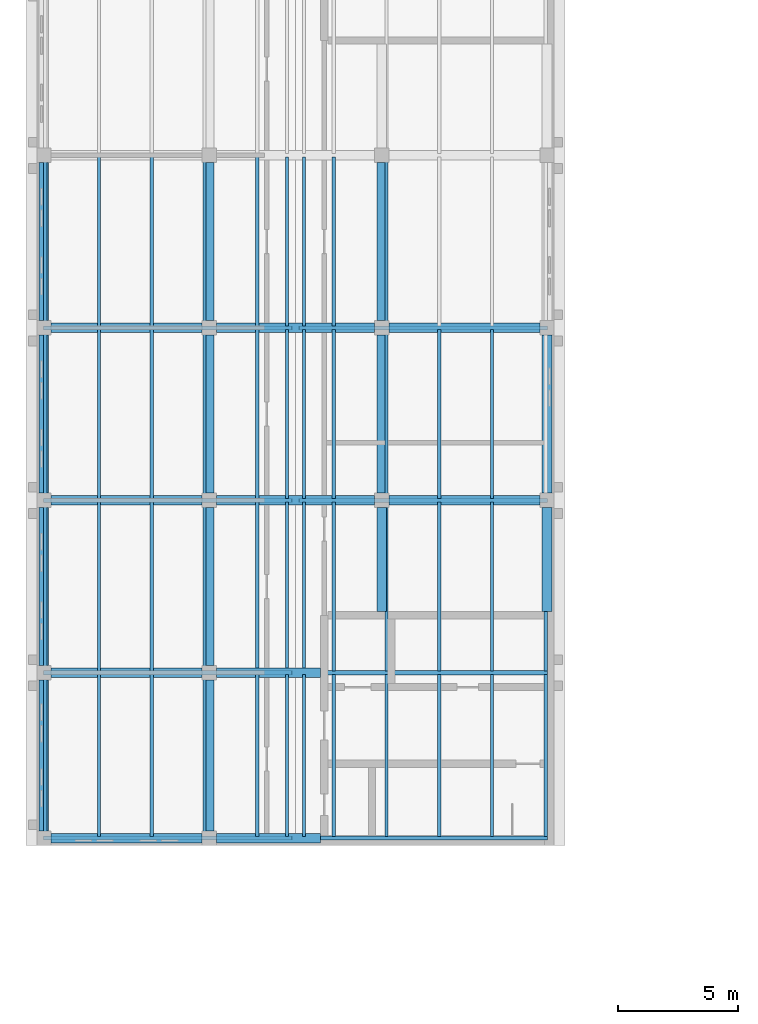
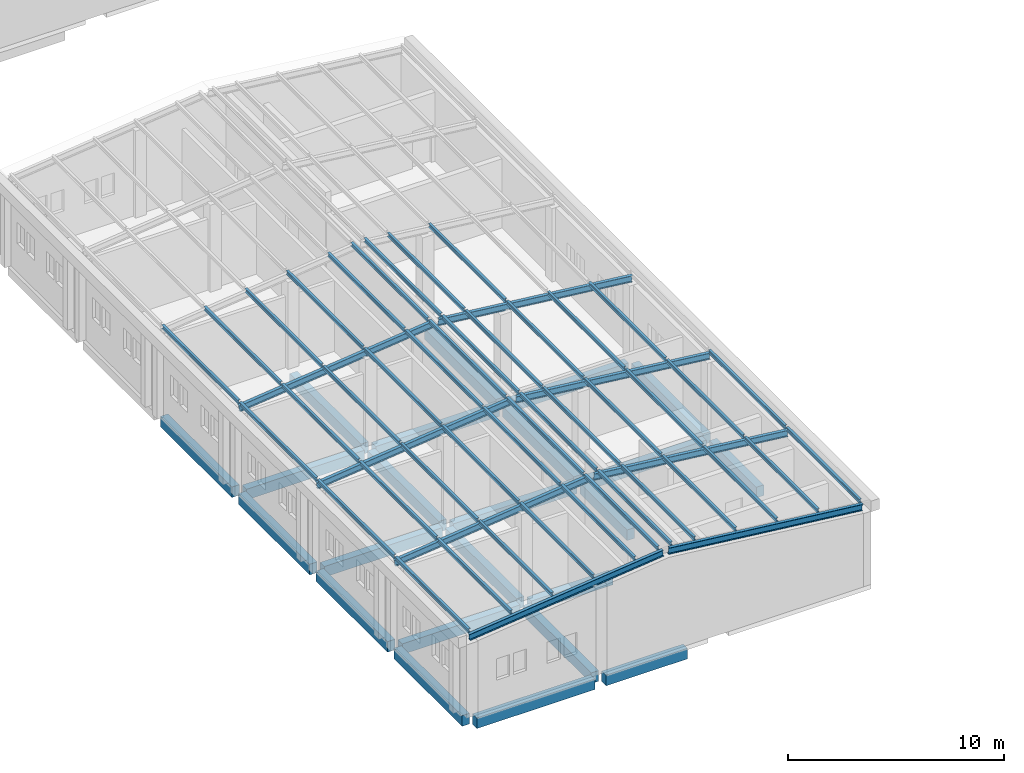
# One storey, part 4 of 48: 44 members, 31 beams.
"""IFC4 building model written with IfcOpenShell, lengths in metres."""

from ifc_helpers import new_model, si_unit, direction, frame, origin, origin_2d, place, context, subcontext, project, spatial, rectangle, i_section, extrude, material, material_profile, profile_set, type_object, element, save


model = new_model("IFC4")

# Units and contexts
model_context = context("Model", 3, precision=1e-05, world=origin(), true_north=direction((0.0, 1.0)))
body_context = subcontext(model_context, "Body", "Model", "MODEL_VIEW")
ifc_project = project(units=[si_unit("LENGTHUNIT", "METRE"), si_unit("AREAUNIT", "SQUARE_METRE"), si_unit("VOLUMEUNIT", "CUBIC_METRE"), si_unit("PLANEANGLEUNIT", "RADIAN"), si_unit("MASSUNIT", "GRAM", prefix="KILO")], contexts=[model_context])

# Site, building, storey
site_placement = place(None, origin())
site = spatial("IfcSite", under=ifc_project, at=site_placement, CompositionType="ELEMENT")
building_placement = place(site_placement, origin())
building = spatial("IfcBuilding", under=site, at=building_placement, Name="Alderwick Market Hall", CompositionType="ELEMENT")
storey_placement = place(building_placement, frame((0.0, 0.0, 14.39990234375)))
storey = spatial("IfcBuildingStorey", under=building, at=storey_placement, Name="L02", CompositionType="ELEMENT", Elevation=14.39990234375)

# Beams
ifc_material_1 = material(Name="Concrete 5000 psi (f'c 35 MPa)", Category="concrete")
ifc_material_profile_1 = material_profile(ifc_material_1, rectangle(XDim=0.39990234375, YDim=0.60009765625, at=origin_2d()), Name="B RC Beam 400x600")
ifc_profile_set_1 = profile_set([ifc_material_profile_1], Name="Concrete 5000 psi (f'c 35 MPa)")
beam_type_1 = type_object("IfcBeamType", Name="B RC Beam 400x600", PredefinedType="BEAM", material=ifc_profile_set_1)
beam_1_placement = place(storey_placement, frame((22.199951171875, 29.10009765625, -0.5498046875), z_axis=(1.0, 0.0, 0.0), x_axis=(0.0, 1.0, 0.0)))
element("IfcBeam", 1, at=beam_1_placement, inside=storey, type_object=beam_type_1, Name="B.S.beam.L02.u003-0006", PredefinedType="BEAM", context=body_context, shape_type="SweptSolid", body=[
    extrude(rectangle(XDim=0.39990234375, YDim=0.60009765625, at=origin_2d()), origin(), (0.0, 0.0, 1.0), 6.300048828125),
])
beam_2_placement = place(storey_placement, frame((29.10009765625, 29.10009765625, -0.5498046875), z_axis=(1.0, 0.0, 0.0), x_axis=(0.0, 1.0, 0.0)))
element("IfcBeam", 2, at=beam_2_placement, inside=storey, type_object=beam_type_1, Name="B.S.beam.L02.u003-0075", PredefinedType="BEAM", context=body_context, shape_type="SweptSolid", body=[
    extrude(rectangle(XDim=0.39990234375, YDim=0.60009765625, at=origin_2d()), origin(), (0.0, 0.0, 1.0), 4.349853515625),
])
beam_3_placement = place(storey_placement, frame((22.199951171875, 36.0, -0.5498046875), z_axis=(1.0, 0.0, 0.0), x_axis=(0.0, 1.0, 0.0)))
element("IfcBeam", 3, at=beam_3_placement, inside=storey, type_object=beam_type_1, Name="B.S.beam.L02.u072-0006", PredefinedType="BEAM", context=body_context, shape_type="SweptSolid", body=[
    extrude(rectangle(XDim=0.39990234375, YDim=0.60009765625, at=origin_2d()), origin(), (0.0, 0.0, 1.0), 6.300048828125),
])
beam_4_placement = place(storey_placement, frame((29.10009765625, 36.0, -0.5498046875), z_axis=(1.0, 0.0, 0.0), x_axis=(0.0, 1.0, 0.0)))
element("IfcBeam", 4, at=beam_4_placement, inside=storey, type_object=beam_type_1, Name="B.S.beam.L02.u072-0075", PredefinedType="BEAM", context=body_context, shape_type="SweptSolid", body=[
    extrude(rectangle(XDim=0.39990234375, YDim=0.60009765625, at=origin_2d()), origin(), (0.0, 0.0, 1.0), 4.349853515625),
])
beam_5_placement = place(storey_placement, frame((22.199951171875, 43.199951171875, -0.5498046875), z_axis=(1.0, 0.0, 0.0), x_axis=(0.0, 1.0, 0.0)))
element("IfcBeam", 5, at=beam_5_placement, inside=storey, type_object=beam_type_1, Name="B.S.beam.L02.u144-0006", PredefinedType="BEAM", context=body_context, shape_type="SweptSolid", body=[
    extrude(rectangle(XDim=0.39990234375, YDim=0.60009765625, at=origin_2d()), origin(), (0.0, 0.0, 1.0), 6.300048828125),
])
beam_6_placement = place(storey_placement, frame((29.10009765625, 43.199951171875, -0.5498046875), z_axis=(1.0, 0.0, 0.0), x_axis=(0.0, 1.0, 0.0)))
element("IfcBeam", 6, at=beam_6_placement, inside=storey, type_object=beam_type_1, Name="B.S.beam.L02.u144-0075", PredefinedType="BEAM", context=body_context, shape_type="SweptSolid", body=[
    extrude(rectangle(XDim=0.39990234375, YDim=0.60009765625, at=origin_2d()), origin(), (0.0, 0.0, 1.0), 6.599853515625),
])
for number, where, z_axis, x_axis, name in (
    (7, (36.300048828125, 43.199951171875, -0.5498046875), (1.0, 0.0, 0.0), (0.0, 1.0, 0.0), "B.S.beam.L02.u144-0147"),
    (8, (22.199951171875, 50.39990234375, -0.5498046875), (1.0, 0.0, 0.0), (0.0, 1.0, 0.0), "B.S.beam.L02.u216-0006"),
):
    element("IfcBeam", number, at=place(storey_placement, frame(where, z_axis=z_axis, x_axis=x_axis)), inside=storey, type_object=beam_type_1, Name=name, PredefinedType="BEAM", context=body_context, shape_type="SweptSolid", body=[
        extrude(rectangle(XDim=0.39990234375, YDim=0.60009765625, at=origin_2d()), origin(), (0.0, 0.0, 1.0), 6.300048828125),
    ])
beam_7_placement = place(storey_placement, frame((29.10009765625, 50.39990234375, -0.5498046875), z_axis=(1.0, 0.0, 0.0), x_axis=(0.0, 1.0, 0.0)))
element("IfcBeam", 9, at=beam_7_placement, inside=storey, type_object=beam_type_1, Name="B.S.beam.L02.u216-0075", PredefinedType="BEAM", context=body_context, shape_type="SweptSolid", body=[
    extrude(rectangle(XDim=0.39990234375, YDim=0.60009765625, at=origin_2d()), origin(), (0.0, 0.0, 1.0), 6.599853515625),
])
for number, where, z_axis, x_axis, name in (
    (10, (36.300048828125, 50.39990234375, -0.5498046875), (1.0, 0.0, 0.0), (0.0, 1.0, 0.0), "B.S.beam.L02.u216-0147"),
    (11, (21.89990234375, 29.39990234375, -0.5498046875), (0.0, 1.0, 0.0), (-1.0, 0.0, 0.0), "B.S.beam.L02.w003-0006"),
):
    element("IfcBeam", number, at=place(storey_placement, frame(where, z_axis=z_axis, x_axis=x_axis)), inside=storey, type_object=beam_type_1, Name=name, PredefinedType="BEAM", context=body_context, shape_type="SweptSolid", body=[
        extrude(rectangle(XDim=0.39990234375, YDim=0.60009765625, at=origin_2d()), origin(), (0.0, 0.0, 1.0), 6.300048828125),
    ])
beam_8_placement = place(storey_placement, frame((21.89990234375, 36.300048828125, -0.5498046875), z_axis=(0.0, 1.0, 0.0), x_axis=(-1.0, 0.0, 0.0)))
element("IfcBeam", 12, at=beam_8_placement, inside=storey, type_object=beam_type_1, Name="B.S.beam.L02.w003-0075", PredefinedType="BEAM", context=body_context, shape_type="SweptSolid", body=[
    extrude(rectangle(XDim=0.39990234375, YDim=0.60009765625, at=origin_2d()), origin(), (0.0, 0.0, 1.0), 6.599853515625),
])
for number, where, z_axis, x_axis, name in (
    (13, (21.89990234375, 43.5, -0.5498046875), (0.0, 1.0, 0.0), (-1.0, 0.0, 0.0), "B.S.beam.L02.w003-0147"),
    (14, (21.89990234375, 50.699951171875, -0.5498046875), (0.0, 1.0, 0.0), (-1.0, 0.0, 0.0), "B.S.beam.L02.w003-0219"),
):
    element("IfcBeam", number, at=place(storey_placement, frame(where, z_axis=z_axis, x_axis=x_axis)), inside=storey, type_object=beam_type_1, Name=name, PredefinedType="BEAM", context=body_context, shape_type="SweptSolid", body=[
        extrude(rectangle(XDim=0.39990234375, YDim=0.60009765625, at=origin_2d()), origin(), (0.0, 0.0, 1.0), 6.60009765625),
    ])
beam_9_placement = place(storey_placement, frame((28.800048828125, 29.39990234375, -0.5498046875), z_axis=(0.0, 1.0, 0.0), x_axis=(-1.0, 0.0, 0.0)))
element("IfcBeam", 15, at=beam_9_placement, inside=storey, type_object=beam_type_1, Name="B.S.beam.L02.w072-0006", PredefinedType="BEAM", context=body_context, shape_type="SweptSolid", body=[
    extrude(rectangle(XDim=0.39990234375, YDim=0.60009765625, at=origin_2d()), origin(), (0.0, 0.0, 1.0), 6.300048828125),
])
beam_10_placement = place(storey_placement, frame((28.800048828125, 36.300048828125, -0.5498046875), z_axis=(0.0, 1.0, 0.0), x_axis=(-1.0, 0.0, 0.0)))
element("IfcBeam", 16, at=beam_10_placement, inside=storey, type_object=beam_type_1, Name="B.S.beam.L02.w072-0075", PredefinedType="BEAM", context=body_context, shape_type="SweptSolid", body=[
    extrude(rectangle(XDim=0.39990234375, YDim=0.60009765625, at=origin_2d()), origin(), (0.0, 0.0, 1.0), 6.599853515625),
])
for number, where, z_axis, x_axis, name in (
    (17, (28.800048828125, 43.5, -0.5498046875), (0.0, 1.0, 0.0), (-1.0, 0.0, 0.0), "B.S.beam.L02.w072-0147"),
    (18, (28.800048828125, 50.699951171875, -0.5498046875), (0.0, 1.0, 0.0), (-1.0, 0.0, 0.0), "B.S.beam.L02.w072-0219"),
):
    element("IfcBeam", number, at=place(storey_placement, frame(where, z_axis=z_axis, x_axis=x_axis)), inside=storey, type_object=beam_type_1, Name=name, PredefinedType="BEAM", context=body_context, shape_type="SweptSolid", body=[
        extrude(rectangle(XDim=0.39990234375, YDim=0.60009765625, at=origin_2d()), origin(), (0.0, 0.0, 1.0), 6.60009765625),
    ])
beam_11_placement = place(storey_placement, frame((36.0, 38.550048828125, -0.5498046875), z_axis=(0.0, 1.0, 0.0), x_axis=(-1.0, 0.0, 0.0)))
element("IfcBeam", 19, at=beam_11_placement, inside=storey, type_object=beam_type_1, Name="B.S.beam.L02.w144-0098", PredefinedType="BEAM", context=body_context, shape_type="SweptSolid", body=[
    extrude(rectangle(XDim=0.39990234375, YDim=0.60009765625, at=origin_2d()), origin(), (0.0, 0.0, 1.0), 4.349853515625),
])
for number, where, z_axis, x_axis, name in (
    (20, (36.0, 43.5, -0.5498046875), (0.0, 1.0, 0.0), (-1.0, 0.0, 0.0), "B.S.beam.L02.w144-0147"),
    (21, (36.0, 50.699951171875, -0.5498046875), (0.0, 1.0, 0.0), (-1.0, 0.0, 0.0), "B.S.beam.L02.w144-0219"),
):
    element("IfcBeam", number, at=place(storey_placement, frame(where, z_axis=z_axis, x_axis=x_axis)), inside=storey, type_object=beam_type_1, Name=name, PredefinedType="BEAM", context=body_context, shape_type="SweptSolid", body=[
        extrude(rectangle(XDim=0.39990234375, YDim=0.60009765625, at=origin_2d()), origin(), (0.0, 0.0, 1.0), 6.60009765625),
    ])
beam_12_placement = place(storey_placement, frame((42.89990234375, 38.550048828125, -0.5498046875), z_axis=(0.0, 1.0, 0.0), x_axis=(-1.0, 0.0, 0.0)))
element("IfcBeam", 22, at=beam_12_placement, inside=storey, type_object=beam_type_1, Name="B.S.beam.L02.w213-0098", PredefinedType="BEAM", context=body_context, shape_type="SweptSolid", body=[
    extrude(rectangle(XDim=0.39990234375, YDim=0.60009765625, at=origin_2d()), origin(), (0.0, 0.0, 1.0), 4.349853515625),
])
beam_13_placement = place(storey_placement, frame((42.89990234375, 43.5, -0.5498046875), z_axis=(0.0, 1.0, 0.0), x_axis=(-1.0, 0.0, 0.0)))
element("IfcBeam", 23, at=beam_13_placement, inside=storey, type_object=beam_type_1, Name="B.S.beam.L02.w213-0147", PredefinedType="BEAM", context=body_context, shape_type="SweptSolid", body=[
    extrude(rectangle(XDim=0.39990234375, YDim=0.60009765625, at=origin_2d()), origin(), (0.0, 0.0, 1.0), 6.60009765625),
])

# Members
ifc_material_2 = material(Name="Steel ASTM A992 Grade 50", Category="steel")
ifc_material_profile_2 = material_profile(ifc_material_2, i_section(OverallWidth=0.134033203125, OverallDepth=0.2099609375, WebThickness=0.00634765625, FlangeThickness=0.01025390625, at=origin_2d()), Name="W200x31")
ifc_profile_set_2 = profile_set([ifc_material_profile_2], Name="Steel ASTM A992 Grade 50")
member_type = type_object("IfcMemberType", Name="B Roof Purlin W200x31", PredefinedType="PURLIN", material=ifc_profile_set_2)
member_1_placement = place(storey_placement, frame((21.949951171875, 29.175048828125, 4.612548828125), z_axis=(0.0, 1.0, 0.0), x_axis=(-1.0, 0.0, 0.0)))
element("IfcMember", 24, at=member_1_placement, inside=storey, type_object=member_type, Name="B.S.purlin.W0.003", PredefinedType="PURLIN", context=body_context, shape_type="SweptSolid", body=[
    extrude(i_section(OverallWidth=0.134033203125, OverallDepth=0.2099609375, WebThickness=0.00634765625, FlangeThickness=0.01025390625, at=origin_2d()), origin(), (0.0, 0.0, 1.0), 6.75),
])
for number, where, z_axis, x_axis, name in (
    (25, (21.949951171875, 36.074951171875, 4.612548828125), (0.0, 1.0, 0.0), (-1.0, 0.0, 0.0), "B.S.purlin.W0.072"),
    (26, (21.949951171875, 43.27490234375, 4.612548828125), (0.0, 1.0, 0.0), (-1.0, 0.0, 0.0), "B.S.purlin.W0.144"),
):
    element("IfcMember", number, at=place(storey_placement, frame(where, z_axis=z_axis, x_axis=x_axis)), inside=storey, type_object=member_type, Name=name, PredefinedType="PURLIN", context=body_context, shape_type="SweptSolid", body=[
        extrude(i_section(OverallWidth=0.134033203125, OverallDepth=0.2099609375, WebThickness=0.00634765625, FlangeThickness=0.01025390625, at=origin_2d()), origin(), (0.0, 0.0, 1.0), 7.050048828125),
    ])
member_2_placement = place(storey_placement, frame((21.949951171875, 50.47509765625, 4.612548828125), z_axis=(0.0, 1.0, 0.0), x_axis=(-1.0, 0.0, 0.0)))
element("IfcMember", 27, at=member_2_placement, inside=storey, type_object=member_type, Name="B.S.purlin.W0.216", PredefinedType="PURLIN", context=body_context, shape_type="SweptSolid", body=[
    extrude(i_section(OverallWidth=0.134033203125, OverallDepth=0.2099609375, WebThickness=0.00634765625, FlangeThickness=0.01025390625, at=origin_2d()), origin(), (0.0, 0.0, 1.0), 7.0498046875),
])
member_3_placement = place(storey_placement, frame((24.199951171875, 29.175048828125, 4.862548828125), z_axis=(0.0, 1.0, 0.0), x_axis=(-1.0, 0.0, 0.0)))
element("IfcMember", 28, at=member_3_placement, inside=storey, type_object=member_type, Name="B.S.purlin.W1.003", PredefinedType="PURLIN", context=body_context, shape_type="SweptSolid", body=[
    extrude(i_section(OverallWidth=0.134033203125, OverallDepth=0.2099609375, WebThickness=0.00634765625, FlangeThickness=0.01025390625, at=origin_2d()), origin(), (0.0, 0.0, 1.0), 6.75),
])
for number, where, z_axis, x_axis, name in (
    (29, (24.199951171875, 36.074951171875, 4.862548828125), (0.0, 1.0, 0.0), (-1.0, 0.0, 0.0), "B.S.purlin.W1.072"),
    (30, (24.199951171875, 43.27490234375, 4.862548828125), (0.0, 1.0, 0.0), (-1.0, 0.0, 0.0), "B.S.purlin.W1.144"),
):
    element("IfcMember", number, at=place(storey_placement, frame(where, z_axis=z_axis, x_axis=x_axis)), inside=storey, type_object=member_type, Name=name, PredefinedType="PURLIN", context=body_context, shape_type="SweptSolid", body=[
        extrude(i_section(OverallWidth=0.134033203125, OverallDepth=0.2099609375, WebThickness=0.00634765625, FlangeThickness=0.01025390625, at=origin_2d()), origin(), (0.0, 0.0, 1.0), 7.050048828125),
    ])
member_4_placement = place(storey_placement, frame((24.199951171875, 50.47509765625, 4.862548828125), z_axis=(0.0, 1.0, 0.0), x_axis=(-1.0, 0.0, 0.0)))
element("IfcMember", 31, at=member_4_placement, inside=storey, type_object=member_type, Name="B.S.purlin.W1.216", PredefinedType="PURLIN", context=body_context, shape_type="SweptSolid", body=[
    extrude(i_section(OverallWidth=0.134033203125, OverallDepth=0.2099609375, WebThickness=0.00634765625, FlangeThickness=0.01025390625, at=origin_2d()), origin(), (0.0, 0.0, 1.0), 7.0498046875),
])
member_5_placement = place(storey_placement, frame((26.39990234375, 29.175048828125, 5.10693359375), z_axis=(0.0, 1.0, 0.0), x_axis=(-1.0, 0.0, 0.0)))
element("IfcMember", 32, at=member_5_placement, inside=storey, type_object=member_type, Name="B.S.purlin.W2.003", PredefinedType="PURLIN", context=body_context, shape_type="SweptSolid", body=[
    extrude(i_section(OverallWidth=0.134033203125, OverallDepth=0.2099609375, WebThickness=0.00634765625, FlangeThickness=0.01025390625, at=origin_2d()), origin(), (0.0, 0.0, 1.0), 6.75),
])
for number, where, z_axis, x_axis, name in (
    (33, (26.39990234375, 36.074951171875, 5.10693359375), (0.0, 1.0, 0.0), (-1.0, 0.0, 0.0), "B.S.purlin.W2.072"),
    (34, (26.39990234375, 43.27490234375, 5.10693359375), (0.0, 1.0, 0.0), (-1.0, 0.0, 0.0), "B.S.purlin.W2.144"),
):
    element("IfcMember", number, at=place(storey_placement, frame(where, z_axis=z_axis, x_axis=x_axis)), inside=storey, type_object=member_type, Name=name, PredefinedType="PURLIN", context=body_context, shape_type="SweptSolid", body=[
        extrude(i_section(OverallWidth=0.134033203125, OverallDepth=0.2099609375, WebThickness=0.00634765625, FlangeThickness=0.01025390625, at=origin_2d()), origin(), (0.0, 0.0, 1.0), 7.050048828125),
    ])
member_6_placement = place(storey_placement, frame((26.39990234375, 50.47509765625, 5.10693359375), z_axis=(0.0, 1.0, 0.0), x_axis=(-1.0, 0.0, 0.0)))
element("IfcMember", 35, at=member_6_placement, inside=storey, type_object=member_type, Name="B.S.purlin.W2.216", PredefinedType="PURLIN", context=body_context, shape_type="SweptSolid", body=[
    extrude(i_section(OverallWidth=0.134033203125, OverallDepth=0.2099609375, WebThickness=0.00634765625, FlangeThickness=0.01025390625, at=origin_2d()), origin(), (0.0, 0.0, 1.0), 7.0498046875),
])
member_7_placement = place(storey_placement, frame((28.60009765625, 29.175048828125, 5.3515625), z_axis=(0.0, 1.0, 0.0), x_axis=(-1.0, 0.0, 0.0)))
element("IfcMember", 36, at=member_7_placement, inside=storey, type_object=member_type, Name="B.S.purlin.W3.003", PredefinedType="PURLIN", context=body_context, shape_type="SweptSolid", body=[
    extrude(i_section(OverallWidth=0.134033203125, OverallDepth=0.2099609375, WebThickness=0.00634765625, FlangeThickness=0.01025390625, at=origin_2d()), origin(), (0.0, 0.0, 1.0), 6.75),
])
for number, where, z_axis, x_axis, name in (
    (37, (28.60009765625, 36.074951171875, 5.3515625), (0.0, 1.0, 0.0), (-1.0, 0.0, 0.0), "B.S.purlin.W3.072"),
    (38, (28.60009765625, 43.27490234375, 5.3515625), (0.0, 1.0, 0.0), (-1.0, 0.0, 0.0), "B.S.purlin.W3.144"),
):
    element("IfcMember", number, at=place(storey_placement, frame(where, z_axis=z_axis, x_axis=x_axis)), inside=storey, type_object=member_type, Name=name, PredefinedType="PURLIN", context=body_context, shape_type="SweptSolid", body=[
        extrude(i_section(OverallWidth=0.134033203125, OverallDepth=0.2099609375, WebThickness=0.00634765625, FlangeThickness=0.01025390625, at=origin_2d()), origin(), (0.0, 0.0, 1.0), 7.050048828125),
    ])
member_8_placement = place(storey_placement, frame((28.60009765625, 50.47509765625, 5.3515625), z_axis=(0.0, 1.0, 0.0), x_axis=(-1.0, 0.0, 0.0)))
element("IfcMember", 39, at=member_8_placement, inside=storey, type_object=member_type, Name="B.S.purlin.W3.216", PredefinedType="PURLIN", context=body_context, shape_type="SweptSolid", body=[
    extrude(i_section(OverallWidth=0.134033203125, OverallDepth=0.2099609375, WebThickness=0.00634765625, FlangeThickness=0.01025390625, at=origin_2d()), origin(), (0.0, 0.0, 1.0), 7.0498046875),
])
member_9_placement = place(storey_placement, frame((30.800048828125, 29.175048828125, 5.595947265625), z_axis=(0.0, 1.0, 0.0), x_axis=(-1.0, 0.0, 0.0)))
element("IfcMember", 40, at=member_9_placement, inside=storey, type_object=member_type, Name="B.S.purlin.W4.003", PredefinedType="PURLIN", context=body_context, shape_type="SweptSolid", body=[
    extrude(i_section(OverallWidth=0.134033203125, OverallDepth=0.2099609375, WebThickness=0.00634765625, FlangeThickness=0.01025390625, at=origin_2d()), origin(), (0.0, 0.0, 1.0), 6.75),
])
for number, where, z_axis, x_axis, name in (
    (41, (30.800048828125, 36.074951171875, 5.595947265625), (0.0, 1.0, 0.0), (-1.0, 0.0, 0.0), "B.S.purlin.W4.072"),
    (42, (30.800048828125, 43.27490234375, 5.595947265625), (0.0, 1.0, 0.0), (-1.0, 0.0, 0.0), "B.S.purlin.W4.144"),
):
    element("IfcMember", number, at=place(storey_placement, frame(where, z_axis=z_axis, x_axis=x_axis)), inside=storey, type_object=member_type, Name=name, PredefinedType="PURLIN", context=body_context, shape_type="SweptSolid", body=[
        extrude(i_section(OverallWidth=0.134033203125, OverallDepth=0.2099609375, WebThickness=0.00634765625, FlangeThickness=0.01025390625, at=origin_2d()), origin(), (0.0, 0.0, 1.0), 7.050048828125),
    ])
member_10_placement = place(storey_placement, frame((30.800048828125, 50.47509765625, 5.595947265625), z_axis=(0.0, 1.0, 0.0), x_axis=(-1.0, 0.0, 0.0)))
element("IfcMember", 43, at=member_10_placement, inside=storey, type_object=member_type, Name="B.S.purlin.W4.216", PredefinedType="PURLIN", context=body_context, shape_type="SweptSolid", body=[
    extrude(i_section(OverallWidth=0.134033203125, OverallDepth=0.2099609375, WebThickness=0.00634765625, FlangeThickness=0.01025390625, at=origin_2d()), origin(), (0.0, 0.0, 1.0), 7.0498046875),
])
member_11_placement = place(storey_placement, frame((32.050048828125, 29.175048828125, 5.73486328125), z_axis=(0.0, 1.0, 0.0), x_axis=(-1.0, 0.0, 0.0)))
element("IfcMember", 44, at=member_11_placement, inside=storey, type_object=member_type, Name="B.S.purlin.W5.003", PredefinedType="PURLIN", context=body_context, shape_type="SweptSolid", body=[
    extrude(i_section(OverallWidth=0.134033203125, OverallDepth=0.2099609375, WebThickness=0.00634765625, FlangeThickness=0.01025390625, at=origin_2d()), origin(), (0.0, 0.0, 1.0), 6.75),
])
for number, where, z_axis, x_axis, name in (
    (45, (32.050048828125, 36.074951171875, 5.73486328125), (0.0, 1.0, 0.0), (-1.0, 0.0, 0.0), "B.S.purlin.W5.072"),
    (46, (32.050048828125, 43.27490234375, 5.73486328125), (0.0, 1.0, 0.0), (-1.0, 0.0, 0.0), "B.S.purlin.W5.144"),
):
    element("IfcMember", number, at=place(storey_placement, frame(where, z_axis=z_axis, x_axis=x_axis)), inside=storey, type_object=member_type, Name=name, PredefinedType="PURLIN", context=body_context, shape_type="SweptSolid", body=[
        extrude(i_section(OverallWidth=0.134033203125, OverallDepth=0.2099609375, WebThickness=0.00634765625, FlangeThickness=0.01025390625, at=origin_2d()), origin(), (0.0, 0.0, 1.0), 7.050048828125),
    ])
member_12_placement = place(storey_placement, frame((32.050048828125, 50.47509765625, 5.73486328125), z_axis=(0.0, 1.0, 0.0), x_axis=(-1.0, 0.0, 0.0)))
element("IfcMember", 47, at=member_12_placement, inside=storey, type_object=member_type, Name="B.S.purlin.W5.216", PredefinedType="PURLIN", context=body_context, shape_type="SweptSolid", body=[
    extrude(i_section(OverallWidth=0.134033203125, OverallDepth=0.2099609375, WebThickness=0.00634765625, FlangeThickness=0.01025390625, at=origin_2d()), origin(), (0.0, 0.0, 1.0), 7.0498046875),
])
member_13_placement = place(storey_placement, frame((42.85009765625, 29.175048828125, 4.612548828125), z_axis=(0.0, 1.0, 0.0), x_axis=(-1.0, 0.0, 0.0)))
element("IfcMember", 48, at=member_13_placement, inside=storey, type_object=member_type, Name="B.S.purlin.E0.003", PredefinedType="PURLIN", context=body_context, shape_type="SweptSolid", body=[
    extrude(i_section(OverallWidth=0.134033203125, OverallDepth=0.2099609375, WebThickness=0.00634765625, FlangeThickness=0.01025390625, at=origin_2d()), origin(), (0.0, 0.0, 1.0), 6.75),
])
member_14_placement = place(storey_placement, frame((42.85009765625, 36.074951171875, 4.612548828125), z_axis=(0.0, 1.0, 0.0), x_axis=(-1.0, 0.0, 0.0)))
element("IfcMember", 49, at=member_14_placement, inside=storey, type_object=member_type, Name="B.S.purlin.E0.072", PredefinedType="PURLIN", context=body_context, shape_type="SweptSolid", body=[
    extrude(i_section(OverallWidth=0.134033203125, OverallDepth=0.2099609375, WebThickness=0.00634765625, FlangeThickness=0.01025390625, at=origin_2d()), origin(), (0.0, 0.0, 1.0), 7.050048828125),
])
member_15_placement = place(storey_placement, frame((40.60009765625, 29.175048828125, 4.862548828125), z_axis=(0.0, 1.0, 0.0), x_axis=(-1.0, 0.0, 0.0)))
element("IfcMember", 50, at=member_15_placement, inside=storey, type_object=member_type, Name="B.S.purlin.E1.003", PredefinedType="PURLIN", context=body_context, shape_type="SweptSolid", body=[
    extrude(i_section(OverallWidth=0.134033203125, OverallDepth=0.2099609375, WebThickness=0.00634765625, FlangeThickness=0.01025390625, at=origin_2d()), origin(), (0.0, 0.0, 1.0), 6.75),
])
for number, where, z_axis, x_axis, name in (
    (51, (40.60009765625, 36.074951171875, 4.862548828125), (0.0, 1.0, 0.0), (-1.0, 0.0, 0.0), "B.S.purlin.E1.072"),
    (52, (40.60009765625, 43.27490234375, 4.862548828125), (0.0, 1.0, 0.0), (-1.0, 0.0, 0.0), "B.S.purlin.E1.144"),
):
    element("IfcMember", number, at=place(storey_placement, frame(where, z_axis=z_axis, x_axis=x_axis)), inside=storey, type_object=member_type, Name=name, PredefinedType="PURLIN", context=body_context, shape_type="SweptSolid", body=[
        extrude(i_section(OverallWidth=0.134033203125, OverallDepth=0.2099609375, WebThickness=0.00634765625, FlangeThickness=0.01025390625, at=origin_2d()), origin(), (0.0, 0.0, 1.0), 7.050048828125),
    ])
member_16_placement = place(storey_placement, frame((38.39990234375, 29.175048828125, 5.10693359375), z_axis=(0.0, 1.0, 0.0), x_axis=(-1.0, 0.0, 0.0)))
element("IfcMember", 53, at=member_16_placement, inside=storey, type_object=member_type, Name="B.S.purlin.E2.003", PredefinedType="PURLIN", context=body_context, shape_type="SweptSolid", body=[
    extrude(i_section(OverallWidth=0.134033203125, OverallDepth=0.2099609375, WebThickness=0.00634765625, FlangeThickness=0.01025390625, at=origin_2d()), origin(), (0.0, 0.0, 1.0), 6.75),
])
for number, where, z_axis, x_axis, name in (
    (54, (38.39990234375, 36.074951171875, 5.10693359375), (0.0, 1.0, 0.0), (-1.0, 0.0, 0.0), "B.S.purlin.E2.072"),
    (55, (38.39990234375, 43.27490234375, 5.10693359375), (0.0, 1.0, 0.0), (-1.0, 0.0, 0.0), "B.S.purlin.E2.144"),
):
    element("IfcMember", number, at=place(storey_placement, frame(where, z_axis=z_axis, x_axis=x_axis)), inside=storey, type_object=member_type, Name=name, PredefinedType="PURLIN", context=body_context, shape_type="SweptSolid", body=[
        extrude(i_section(OverallWidth=0.134033203125, OverallDepth=0.2099609375, WebThickness=0.00634765625, FlangeThickness=0.01025390625, at=origin_2d()), origin(), (0.0, 0.0, 1.0), 7.050048828125),
    ])
member_17_placement = place(storey_placement, frame((36.199951171875, 29.175048828125, 5.3515625), z_axis=(0.0, 1.0, 0.0), x_axis=(-1.0, 0.0, 0.0)))
element("IfcMember", 56, at=member_17_placement, inside=storey, type_object=member_type, Name="B.S.purlin.E3.003", PredefinedType="PURLIN", context=body_context, shape_type="SweptSolid", body=[
    extrude(i_section(OverallWidth=0.134033203125, OverallDepth=0.2099609375, WebThickness=0.00634765625, FlangeThickness=0.01025390625, at=origin_2d()), origin(), (0.0, 0.0, 1.0), 6.75),
])
for number, where, z_axis, x_axis, name in (
    (57, (36.199951171875, 36.074951171875, 5.3515625), (0.0, 1.0, 0.0), (-1.0, 0.0, 0.0), "B.S.purlin.E3.072"),
    (58, (36.199951171875, 43.27490234375, 5.3515625), (0.0, 1.0, 0.0), (-1.0, 0.0, 0.0), "B.S.purlin.E3.144"),
):
    element("IfcMember", number, at=place(storey_placement, frame(where, z_axis=z_axis, x_axis=x_axis)), inside=storey, type_object=member_type, Name=name, PredefinedType="PURLIN", context=body_context, shape_type="SweptSolid", body=[
        extrude(i_section(OverallWidth=0.134033203125, OverallDepth=0.2099609375, WebThickness=0.00634765625, FlangeThickness=0.01025390625, at=origin_2d()), origin(), (0.0, 0.0, 1.0), 7.050048828125),
    ])
member_18_placement = place(storey_placement, frame((36.199951171875, 50.47509765625, 5.3515625), z_axis=(0.0, 1.0, 0.0), x_axis=(-1.0, 0.0, 0.0)))
element("IfcMember", 59, at=member_18_placement, inside=storey, type_object=member_type, Name="B.S.purlin.E3.216", PredefinedType="PURLIN", context=body_context, shape_type="SweptSolid", body=[
    extrude(i_section(OverallWidth=0.134033203125, OverallDepth=0.2099609375, WebThickness=0.00634765625, FlangeThickness=0.01025390625, at=origin_2d()), origin(), (0.0, 0.0, 1.0), 7.0498046875),
])
member_19_placement = place(storey_placement, frame((34.0, 29.175048828125, 5.595947265625), z_axis=(0.0, 1.0, 0.0), x_axis=(-1.0, 0.0, 0.0)))
element("IfcMember", 60, at=member_19_placement, inside=storey, type_object=member_type, Name="B.S.purlin.E4.003", PredefinedType="PURLIN", context=body_context, shape_type="SweptSolid", body=[
    extrude(i_section(OverallWidth=0.134033203125, OverallDepth=0.2099609375, WebThickness=0.00634765625, FlangeThickness=0.01025390625, at=origin_2d()), origin(), (0.0, 0.0, 1.0), 6.75),
])
for number, where, z_axis, x_axis, name in (
    (61, (34.0, 36.074951171875, 5.595947265625), (0.0, 1.0, 0.0), (-1.0, 0.0, 0.0), "B.S.purlin.E4.072"),
    (62, (34.0, 43.27490234375, 5.595947265625), (0.0, 1.0, 0.0), (-1.0, 0.0, 0.0), "B.S.purlin.E4.144"),
):
    element("IfcMember", number, at=place(storey_placement, frame(where, z_axis=z_axis, x_axis=x_axis)), inside=storey, type_object=member_type, Name=name, PredefinedType="PURLIN", context=body_context, shape_type="SweptSolid", body=[
        extrude(i_section(OverallWidth=0.134033203125, OverallDepth=0.2099609375, WebThickness=0.00634765625, FlangeThickness=0.01025390625, at=origin_2d()), origin(), (0.0, 0.0, 1.0), 7.050048828125),
    ])
member_20_placement = place(storey_placement, frame((34.0, 50.47509765625, 5.595947265625), z_axis=(0.0, 1.0, 0.0), x_axis=(-1.0, 0.0, 0.0)))
element("IfcMember", 63, at=member_20_placement, inside=storey, type_object=member_type, Name="B.S.purlin.E4.216", PredefinedType="PURLIN", context=body_context, shape_type="SweptSolid", body=[
    extrude(i_section(OverallWidth=0.134033203125, OverallDepth=0.2099609375, WebThickness=0.00634765625, FlangeThickness=0.01025390625, at=origin_2d()), origin(), (0.0, 0.0, 1.0), 7.0498046875),
])
member_21_placement = place(storey_placement, frame((32.75, 29.175048828125, 5.73486328125), z_axis=(0.0, 1.0, 0.0), x_axis=(-1.0, 0.0, 0.0)))
element("IfcMember", 64, at=member_21_placement, inside=storey, type_object=member_type, Name="B.S.purlin.E5.003", PredefinedType="PURLIN", context=body_context, shape_type="SweptSolid", body=[
    extrude(i_section(OverallWidth=0.134033203125, OverallDepth=0.2099609375, WebThickness=0.00634765625, FlangeThickness=0.01025390625, at=origin_2d()), origin(), (0.0, 0.0, 1.0), 6.75),
])
for number, where, z_axis, x_axis, name in (
    (65, (32.75, 36.074951171875, 5.73486328125), (0.0, 1.0, 0.0), (-1.0, 0.0, 0.0), "B.S.purlin.E5.072"),
    (66, (32.75, 43.27490234375, 5.73486328125), (0.0, 1.0, 0.0), (-1.0, 0.0, 0.0), "B.S.purlin.E5.144"),
):
    element("IfcMember", number, at=place(storey_placement, frame(where, z_axis=z_axis, x_axis=x_axis)), inside=storey, type_object=member_type, Name=name, PredefinedType="PURLIN", context=body_context, shape_type="SweptSolid", body=[
        extrude(i_section(OverallWidth=0.134033203125, OverallDepth=0.2099609375, WebThickness=0.00634765625, FlangeThickness=0.01025390625, at=origin_2d()), origin(), (0.0, 0.0, 1.0), 7.050048828125),
    ])
member_22_placement = place(storey_placement, frame((32.75, 50.47509765625, 5.73486328125), z_axis=(0.0, 1.0, 0.0), x_axis=(-1.0, 0.0, 0.0)))
element("IfcMember", 67, at=member_22_placement, inside=storey, type_object=member_type, Name="B.S.purlin.E5.216", PredefinedType="PURLIN", context=body_context, shape_type="SweptSolid", body=[
    extrude(i_section(OverallWidth=0.134033203125, OverallDepth=0.2099609375, WebThickness=0.00634765625, FlangeThickness=0.01025390625, at=origin_2d()), origin(), (0.0, 0.0, 1.0), 7.0498046875),
])

# Beams
ifc_material_profile_3 = material_profile(ifc_material_2, i_section(OverallWidth=0.1708984375, OverallDepth=0.35498046875, WebThickness=0.007080078125, FlangeThickness=0.01171875, at=origin_2d()), Name="W360x51")
ifc_profile_set_3 = profile_set([ifc_material_profile_3], Name="Steel ASTM A992 Grade 50")
beam_type_2 = type_object("IfcBeamType", Name="B Roof Rafter W360x51", PredefinedType="BEAM", material=ifc_profile_set_3)
beam_14_placement = place(storey_placement, frame((21.89990234375, 29.10009765625, 4.32275390625), z_axis=(0.993882305082, 0.0, 0.110444391641), x_axis=(0.0, 1.0, 0.0)))
element("IfcBeam", 68, at=beam_14_placement, inside=storey, type_object=beam_type_2, Name="B.S.rafter.W.003", PredefinedType="BEAM", context=body_context, shape_type="SweptSolid", body=[
    extrude(i_section(OverallWidth=0.1708984375, OverallDepth=0.35498046875, WebThickness=0.007080078125, FlangeThickness=0.01171875, at=origin_2d()), origin(), (0.0, 0.0, 1.0), 10.413818359375),
])
beam_15_placement = place(storey_placement, frame((42.89990234375, 29.10009765625, 4.32275390625), z_axis=(-0.993882019104, 0.0, 0.110446965112), x_axis=(0.0, -1.0, 0.0)))
element("IfcBeam", 69, at=beam_15_placement, inside=storey, type_object=beam_type_2, Name="B.S.rafter.E.003", PredefinedType="BEAM", context=body_context, shape_type="SweptSolid", body=[
    extrude(i_section(OverallWidth=0.1708984375, OverallDepth=0.35498046875, WebThickness=0.007080078125, FlangeThickness=0.01171875, at=origin_2d()), origin(), (0.0, 0.0, 1.0), 10.41357421875),
])
beam_16_placement = place(storey_placement, frame((21.89990234375, 36.0, 4.32275390625), z_axis=(0.993882305082, 0.0, 0.110444391641), x_axis=(0.0, 1.0, 0.0)))
element("IfcBeam", 70, at=beam_16_placement, inside=storey, type_object=beam_type_2, Name="B.S.rafter.W.072", PredefinedType="BEAM", context=body_context, shape_type="SweptSolid", body=[
    extrude(i_section(OverallWidth=0.1708984375, OverallDepth=0.35498046875, WebThickness=0.007080078125, FlangeThickness=0.01171875, at=origin_2d()), origin(), (0.0, 0.0, 1.0), 10.413818359375),
])
beam_17_placement = place(storey_placement, frame((42.89990234375, 36.0, 4.32275390625), z_axis=(-0.993882019104, 0.0, 0.110446965112), x_axis=(0.0, -1.0, 0.0)))
element("IfcBeam", 71, at=beam_17_placement, inside=storey, type_object=beam_type_2, Name="B.S.rafter.E.072", PredefinedType="BEAM", context=body_context, shape_type="SweptSolid", body=[
    extrude(i_section(OverallWidth=0.1708984375, OverallDepth=0.35498046875, WebThickness=0.007080078125, FlangeThickness=0.01171875, at=origin_2d()), origin(), (0.0, 0.0, 1.0), 10.41357421875),
])
beam_18_placement = place(storey_placement, frame((21.89990234375, 43.199951171875, 4.32275390625), z_axis=(0.993882305082, 0.0, 0.110444391641), x_axis=(0.0, 1.0, 0.0)))
element("IfcBeam", 72, at=beam_18_placement, inside=storey, type_object=beam_type_2, Name="B.S.rafter.W.144", PredefinedType="BEAM", context=body_context, shape_type="SweptSolid", body=[
    extrude(i_section(OverallWidth=0.1708984375, OverallDepth=0.35498046875, WebThickness=0.007080078125, FlangeThickness=0.01171875, at=origin_2d()), origin(), (0.0, 0.0, 1.0), 10.413818359375),
])
beam_19_placement = place(storey_placement, frame((42.89990234375, 43.199951171875, 4.32275390625), z_axis=(-0.993882019104, 0.0, 0.110446965112), x_axis=(0.0, -1.0, 0.0)))
element("IfcBeam", 73, at=beam_19_placement, inside=storey, type_object=beam_type_2, Name="B.S.rafter.E.144", PredefinedType="BEAM", context=body_context, shape_type="SweptSolid", body=[
    extrude(i_section(OverallWidth=0.1708984375, OverallDepth=0.35498046875, WebThickness=0.007080078125, FlangeThickness=0.01171875, at=origin_2d()), origin(), (0.0, 0.0, 1.0), 10.41357421875),
])
beam_20_placement = place(storey_placement, frame((21.89990234375, 50.39990234375, 4.32275390625), z_axis=(0.993882305082, 0.0, 0.110444391641), x_axis=(0.0, 1.0, 0.0)))
element("IfcBeam", 74, at=beam_20_placement, inside=storey, type_object=beam_type_2, Name="B.S.rafter.W.216", PredefinedType="BEAM", context=body_context, shape_type="SweptSolid", body=[
    extrude(i_section(OverallWidth=0.1708984375, OverallDepth=0.35498046875, WebThickness=0.007080078125, FlangeThickness=0.01171875, at=origin_2d()), origin(), (0.0, 0.0, 1.0), 10.413818359375),
])
beam_21_placement = place(storey_placement, frame((42.89990234375, 50.39990234375, 4.32275390625), z_axis=(-0.993882019104, 0.0, 0.110446965112), x_axis=(0.0, -1.0, 0.0)))
element("IfcBeam", 75, at=beam_21_placement, inside=storey, type_object=beam_type_2, Name="B.S.rafter.E.216", PredefinedType="BEAM", context=body_context, shape_type="SweptSolid", body=[
    extrude(i_section(OverallWidth=0.1708984375, OverallDepth=0.35498046875, WebThickness=0.007080078125, FlangeThickness=0.01171875, at=origin_2d()), origin(), (0.0, 0.0, 1.0), 10.41357421875),
])

save(model, "model.ifc")
